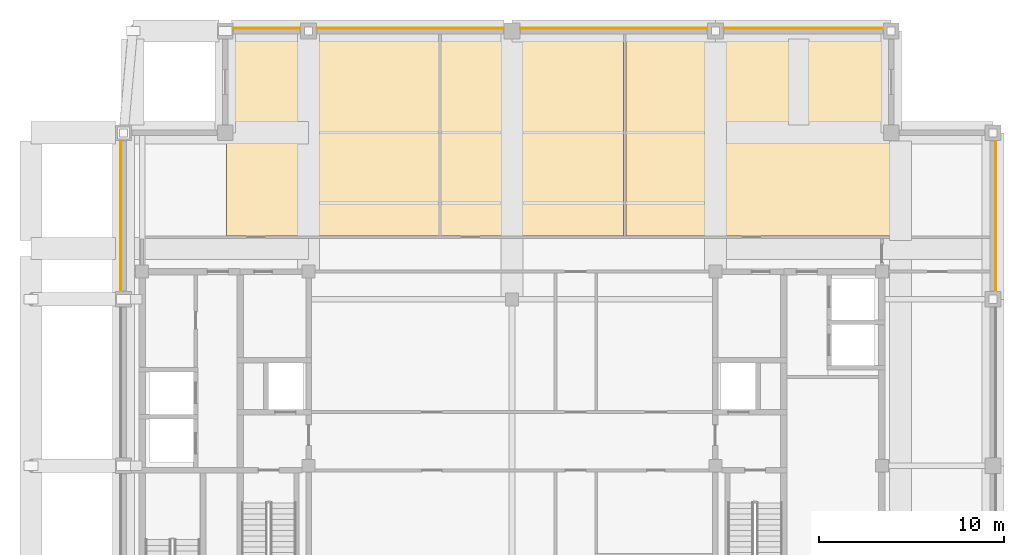
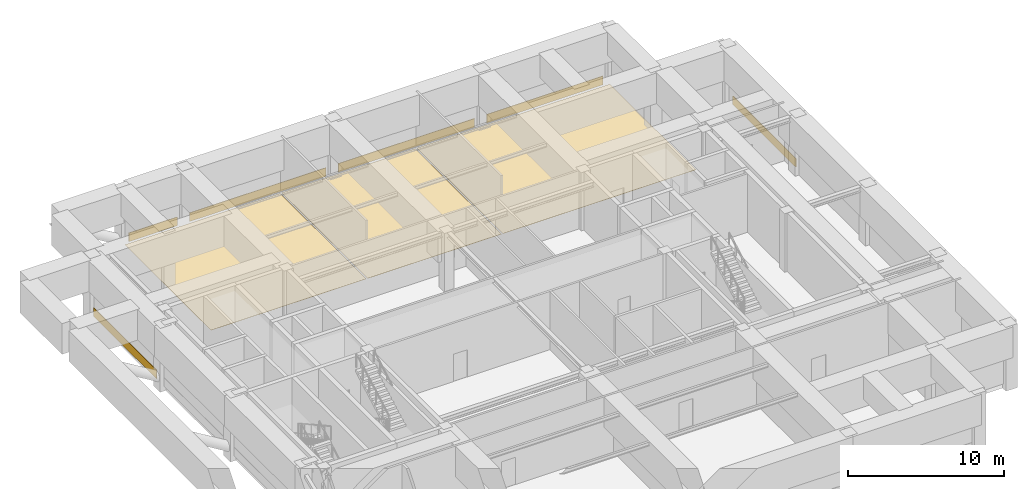
# One storey, part 11 of 11: 9 coverings.
"""IFC4 building model written with IfcOpenShell, lengths in metres."""

from ifc_helpers import new_model, si_unit, direction, frame, frame_2d, origin, place, context, subcontext, project, spatial, polyline, rectangle, outline, extrude, material, layer, layer_set, type_object, element, save


model = new_model("IFC4")

# Units and contexts
model_context = context("Model", 3, precision=1e-05, world=origin(), true_north=direction((0.0, 1.0)))
body_context = subcontext(model_context, "Body", "Model", "MODEL_VIEW")
ifc_project = project(units=[si_unit("LENGTHUNIT", "METRE"), si_unit("AREAUNIT", "SQUARE_METRE"), si_unit("VOLUMEUNIT", "CUBIC_METRE"), si_unit("PLANEANGLEUNIT", "RADIAN"), si_unit("MASSUNIT", "GRAM", prefix="KILO")], contexts=[model_context])

# Site, building, storey
site_placement = place(None, origin())
site = spatial("IfcSite", under=ifc_project, at=site_placement, CompositionType="ELEMENT")
building_placement = place(site_placement, origin())
building = spatial("IfcBuilding", under=site, at=building_placement, Name="Zulmaris Gate Convention Tower", CompositionType="ELEMENT")
storey_placement = place(building_placement, frame((0.0, 0.0, 249.429931640625)))
storey = spatial("IfcBuildingStorey", under=building, at=storey_placement, Name="L66", CompositionType="ELEMENT", Elevation=249.429931640625)

# Coverings
ifc_material_1 = material(Name="Precast concrete C40/50", Category="concrete")
ifc_layer_1 = layer(ifc_material_1, 0.0400390625, Name="Precast concrete C40/50")
ifc_layer_set_1 = layer_set([ifc_layer_1], Name="Precast concrete C40/50")
covering_type_1 = type_object("IfcCoveringType", Name="CLAD-SPANDREL-PRECAST", PredefinedType="CLADDING", material=ifc_layer_set_1)
covering_1_placement = place(storey_placement, frame((-11.455078125, 23.64990234375, 0.0), z_axis=(0.0, 0.0, 1.0), x_axis=(-1.0, 0.0, 0.0)))
element("IfcCovering", 1, at=covering_1_placement, inside=storey, type_object=covering_type_1, Name="CLD-L66-N-0_0", PredefinedType="CLADDING", context=body_context, shape_type="SweptSolid", body=[
    extrude(rectangle(XDim=3.58984375, YDim=0.0400390625, at=frame_2d((1.794921875, 0.0))), origin(), (0.0, 0.0, 1.0), 0.679931640625),
])
for number, where, z_axis, x_axis, name in (
    (2, (-0.455078125, 23.64990234375, 0.0), (0.0, 0.0, 1.0), (-1.0, 0.0, 0.0), "CLD-L66-N-1_0"),
    (3, (10.544921875, 23.64990234375, 0.0), (0.0, 0.0, 1.0), (-1.0, 0.0, 0.0), "CLD-L66-N-2_0"),
):
    element("IfcCovering", number, at=place(storey_placement, frame(where, z_axis=z_axis, x_axis=x_axis)), inside=storey, type_object=covering_type_1, Name=name, PredefinedType="CLADDING", context=body_context, shape_type="SweptSolid", body=[
        extrude(rectangle(XDim=10.08984375, YDim=0.0400390625, at=frame_2d((5.044921875, 0.0))), origin(), (0.0, 0.0, 1.0), 0.679931640625),
    ])
covering_2_placement = place(storey_placement, frame((20.044921875, 23.64990234375, 0.0), z_axis=(0.0, 0.0, 1.0), x_axis=(-1.0, 0.0, 0.0)))
element("IfcCovering", 4, at=covering_2_placement, inside=storey, type_object=covering_type_1, Name="CLD-L66-N-3_0", PredefinedType="CLADDING", context=body_context, shape_type="SweptSolid", body=[
    extrude(rectangle(XDim=8.58984375, YDim=0.0400390625, at=frame_2d((4.294921875, 0.0))), origin(), (0.0, 0.0, 1.0), 0.679931640625),
])
for number, where, z_axis, x_axis, name in (
    (5, (26.14990234375, 9.455078125, 0.0), (0.0, 0.0, 1.0), (0.0, 1.0, 0.0), "CLD-L66-E-3_0"),
    (6, (-21.14990234375, 17.544921875, 0.0), (0.0, 0.0, 1.0), (0.0, -1.0, 0.0), "CLD-L66-W-3_0"),
):
    element("IfcCovering", number, at=place(storey_placement, frame(where, z_axis=z_axis, x_axis=x_axis)), inside=storey, type_object=covering_type_1, Name=name, PredefinedType="CLADDING", context=body_context, shape_type="SweptSolid", body=[
        extrude(rectangle(XDim=8.08984375, YDim=0.0400390625, at=frame_2d((4.044921875, 0.0))), origin(), (0.0, 0.0, 1.0), 0.679931640625),
    ])
ifc_material_2 = material(Name="Woven Acoustic Wool Carpet Tile")
ifc_layer_2 = layer(ifc_material_2, 0.02001953125, Name="Woven Acoustic Wool Carpet Tile")
ifc_layer_set_2 = layer_set([ifc_layer_2], Name="Woven Acoustic Wool Carpet Tile")
covering_type_2 = type_object("IfcCoveringType", Name="FLR-CARPET-12", PredefinedType="FLOORING", material=ifc_layer_set_2)
covering_3_placement = place(storey_placement, origin())
element("IfcCovering", 7, at=covering_3_placement, inside=storey, type_object=covering_type_2, Name="FLR-L66-R28", PredefinedType="FLOORING", context=body_context, shape_type="SweptSolid", body=[
    extrude(outline(polyline([(-15.43994140625, 12.409912109375), (-3.9599609375, 12.409912109375), (-3.9599609375, 23.43994140625), (-15.43994140625, 23.43994140625), (-15.43994140625, 12.409912109375)])), origin(), (0.0, 0.0, 1.0), 0.02001953125),
])
covering_4_placement = place(storey_placement, origin())
element("IfcCovering", 8, at=covering_4_placement, inside=storey, type_object=covering_type_2, Name="FLR-L66-R29", PredefinedType="FLOORING", context=body_context, shape_type="SweptSolid", body=[
    extrude(outline(polyline([(-3.840087890625, 12.409912109375), (6.0400390625, 12.409912109375), (6.0400390625, 23.43994140625), (-3.840087890625, 23.43994140625), (-3.840087890625, 12.409912109375)])), origin(), (0.0, 0.0, 1.0), 0.02001953125),
])
covering_5_placement = place(storey_placement, origin())
element("IfcCovering", 9, at=covering_5_placement, inside=storey, type_object=covering_type_2, Name="FLR-L66-R30", PredefinedType="FLOORING", context=body_context, shape_type="SweptSolid", body=[
    extrude(outline(polyline([(6.159912109375, 12.409912109375), (20.43994140625, 12.409912109375), (20.43994140625, 23.43994140625), (6.159912109375, 23.43994140625), (6.159912109375, 12.409912109375)])), origin(), (0.0, 0.0, 1.0), 0.02001953125),
])

save(model, "model.ifc")
